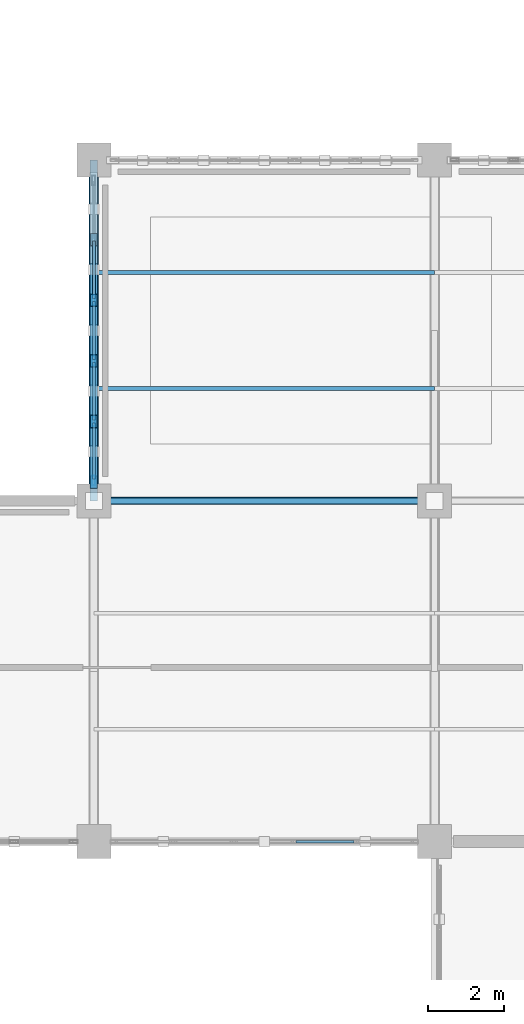
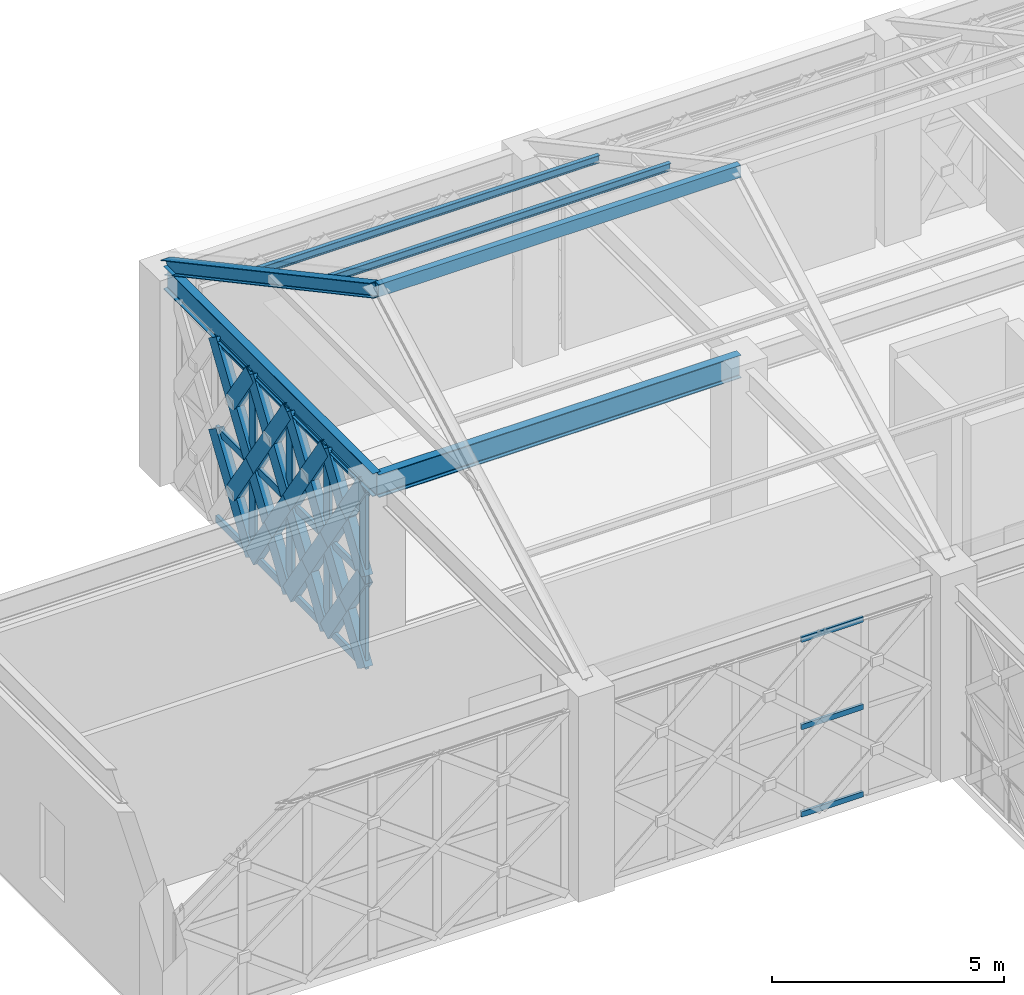
# One storey, part 57 of 166: 45 members, 2 beams, 2 elements without a shape of their own.
"""IFC4 building model written with IfcOpenShell, lengths in metres."""

from ifc_helpers import new_model, si_unit, direction, frame, origin, origin_2d, place, context, subcontext, project, spatial, hollow_rectangle, i_section, extrude, material, material_profile, profile_set, type_object, element, aggregate, save


model = new_model("IFC4")

# Units and contexts
model_context = context("Model", 3, precision=1e-05, world=origin(), true_north=direction((0.0, 1.0)))
body_context = subcontext(model_context, "Body", "Model", "MODEL_VIEW")
ifc_project = project(units=[si_unit("LENGTHUNIT", "METRE"), si_unit("AREAUNIT", "SQUARE_METRE"), si_unit("VOLUMEUNIT", "CUBIC_METRE"), si_unit("PLANEANGLEUNIT", "RADIAN"), si_unit("MASSUNIT", "GRAM", prefix="KILO")], contexts=[model_context])

# Site, building, storey
site_placement = place(None, origin())
site = spatial("IfcSite", under=ifc_project, at=site_placement, CompositionType="ELEMENT")
building_placement = place(site_placement, origin())
building = spatial("IfcBuilding", under=site, at=building_placement, Name="Haizhuo Lancet Aquarium", CompositionType="ELEMENT")
storey_placement = place(building_placement, frame((0.0, 0.0, 5.39990234375)))
storey = spatial("IfcBuildingStorey", under=building, at=storey_placement, Name="L01", CompositionType="ELEMENT", Elevation=5.39990234375)

# Beams
ifc_material_1 = material(Name="Steel S355", Category="steel")
ifc_material_profile_1 = material_profile(ifc_material_1, i_section(OverallWidth=0.199951171875, OverallDepth=0.60009765625, WebThickness=0.010986328125, FlangeThickness=0.01708984375, FilletRadius=0.02197265625, at=origin_2d()), Name="HN 600x200x11x17")
ifc_profile_set_1 = profile_set([ifc_material_profile_1], Name="Steel S355")
beam_type = type_object("IfcBeamType", Name="BM-ST-HN600", PredefinedType="BEAM", material=ifc_profile_set_1)
for number, where, z_axis, x_axis, name in (
    (1, (-72.0, 18.0, 5.10009765625), (0.0, 1.0, 0.0), (-1.0, 0.0, 0.0), "L01 V2 primary girder BM-L01-V2-006"),
    (2, (-72.0, 18.0, 5.10009765625), (1.0, 0.0, 0.0), (0.0, 1.0, 0.0), "L01 V2 primary girder BM-L01-V2-007"),
):
    element("IfcBeam", number, at=place(storey_placement, frame(where, z_axis=z_axis, x_axis=x_axis)), inside=storey, type_object=beam_type, Name=name, PredefinedType="BEAM", context=body_context, shape_type="SweptSolid", body=[
        extrude(i_section(OverallWidth=0.199951171875, OverallDepth=0.60009765625, WebThickness=0.010986328125, FlangeThickness=0.01708984375, FilletRadius=0.02197265625, at=origin_2d()), origin(), (0.0, 0.0, 1.0), 9.0),
    ])

# Curtain wall, members
ifc_material_2 = material(Name="Aluminium 6063-T6", Category="aluminium")
curtain_wall_type_1 = type_object("IfcCurtainWallType", Name="CWD-8010x4800", PredefinedType="NOTDEFINED", material=ifc_material_2)
curtain_wall_1_placement = place(storey_placement, origin())
curtain_wall_1 = element("IfcCurtainWall", 3, at=curtain_wall_1_placement, inside=storey, type_object=curtain_wall_type_1, Name="L01 curtain wall CW-V2-L01-021", PredefinedType="NOTDEFINED")
ifc_material_profile_2 = material_profile(ifc_material_2, hollow_rectangle(XDim=0.080078125, YDim=0.260009765625, WallThickness=0.0048828125, at=origin_2d()), Name="ALU-M 80x260x5")
ifc_profile_set_2 = profile_set([ifc_material_profile_2], Name="Aluminium 6063-T6")
member_type_1 = type_object("IfcMemberType", Name="CW-MUL-3", PredefinedType="MULLION", material=ifc_profile_set_2)
member_1_placement = place(storey_placement, frame((-72.0, 18.534912109375, 0.0), z_axis=(0.0, 0.0, 1.0), x_axis=(-1.0, 0.0, 0.0)))
member_1 = element("IfcMember", 4, at=member_1_placement, type_object=member_type_1, Name="CWD-80x48 mullion 1", PredefinedType="MULLION", context=body_context, shape_type="SweptSolid", body=[
    extrude(hollow_rectangle(XDim=0.080078125, YDim=0.260009765625, WallThickness=0.0048828125, at=origin_2d()), origin(), (0.0, 0.0, 1.0), 4.800048828125),
])
member_2_placement = place(storey_placement, frame((-72.0, 20.096923828125, 0.0), z_axis=(0.0, 0.0, 1.0), x_axis=(-1.0, 0.0, 0.0)))
member_2 = element("IfcMember", 5, at=member_2_placement, type_object=member_type_1, Name="CWD-80x48 mullion 2", PredefinedType="MULLION", context=body_context, shape_type="SweptSolid", body=[
    extrude(hollow_rectangle(XDim=0.080078125, YDim=0.260009765625, WallThickness=0.0048828125, at=origin_2d()), origin(), (0.0, 0.0, 1.0), 4.800048828125),
])
member_3_placement = place(storey_placement, frame((-72.0, 21.698974609375, 0.0), z_axis=(0.0, 0.0, 1.0), x_axis=(-1.0, 0.0, 0.0)))
member_3 = element("IfcMember", 6, at=member_3_placement, type_object=member_type_1, Name="CWD-80x48 mullion 3", PredefinedType="MULLION", context=body_context, shape_type="SweptSolid", body=[
    extrude(hollow_rectangle(XDim=0.080078125, YDim=0.260009765625, WallThickness=0.0048828125, at=origin_2d()), origin(), (0.0, 0.0, 1.0), 4.800048828125),
])
member_4_placement = place(storey_placement, frame((-72.0, 23.301025390625, 0.0), z_axis=(0.0, 0.0, 1.0), x_axis=(-1.0, 0.0, 0.0)))
member_4 = element("IfcMember", 7, at=member_4_placement, type_object=member_type_1, Name="CWD-80x48 mullion 4", PredefinedType="MULLION", context=body_context, shape_type="SweptSolid", body=[
    extrude(hollow_rectangle(XDim=0.080078125, YDim=0.260009765625, WallThickness=0.0048828125, at=origin_2d()), origin(), (0.0, 0.0, 1.0), 4.800048828125),
])

curtain_wall_type_2 = type_object("IfcCurtainWallType", Name="CWO-8010x4650", PredefinedType="NOTDEFINED", material=ifc_material_2)
curtain_wall_2_placement = place(storey_placement, origin())
curtain_wall_2 = element("IfcCurtainWall", 8, at=curtain_wall_2_placement, inside=storey, type_object=curtain_wall_type_2, Name="L01 curtain wall CW-V2-L01-028", PredefinedType="NOTDEFINED")
ifc_material_profile_3 = material_profile(ifc_material_2, hollow_rectangle(XDim=0.06494140625, YDim=0.139892578125, WallThickness=0.00390625, at=origin_2d()), Name="ALU-T 65x140x4")
ifc_profile_set_3 = profile_set([ifc_material_profile_3], Name="Aluminium 6063-T6")
member_type_2 = type_object("IfcMemberType", Name="CW-TRN-1", PredefinedType="NOTDEFINED", material=ifc_profile_set_3)
member_5_placement = place(storey_placement, frame((-65.12890625, 9.0, 0.033203125), z_axis=(-1.0, 0.0, 0.0), x_axis=(0.0, -1.0, 0.0)))
member_5 = element("IfcMember", 9, at=member_5_placement, type_object=member_type_2, Name="CWO-80x46 transom 2.1", ObjectType="TRANSOM", PredefinedType="USERDEFINED", context=body_context, shape_type="SweptSolid", body=[
    extrude(hollow_rectangle(XDim=0.06494140625, YDim=0.139892578125, WallThickness=0.00390625, at=origin_2d()), origin(), (0.0, 0.0, 1.0), 1.537109375),
])
member_6_placement = place(storey_placement, frame((-65.12890625, 9.0, 2.3251953125), z_axis=(-1.0, 0.0, 0.0), x_axis=(0.0, -1.0, 0.0)))
member_6 = element("IfcMember", 10, at=member_6_placement, type_object=member_type_2, Name="CWO-80x46 transom 2.2", ObjectType="TRANSOM", PredefinedType="USERDEFINED", context=body_context, shape_type="SweptSolid", body=[
    extrude(hollow_rectangle(XDim=0.06494140625, YDim=0.139892578125, WallThickness=0.00390625, at=origin_2d()), origin(), (0.0, 0.0, 1.0), 1.537109375),
])
member_7_placement = place(storey_placement, frame((-65.12890625, 9.0, 4.6181640625), z_axis=(-1.0, 0.0, 0.0), x_axis=(0.0, -1.0, 0.0)))
member_7 = element("IfcMember", 11, at=member_7_placement, type_object=member_type_2, Name="CWO-80x46 transom 2.3", ObjectType="TRANSOM", PredefinedType="USERDEFINED", context=body_context, shape_type="SweptSolid", body=[
    extrude(hollow_rectangle(XDim=0.06494140625, YDim=0.139892578125, WallThickness=0.00390625, at=origin_2d()), origin(), (0.0, 0.0, 1.0), 1.537109375),
])
aggregate(curtain_wall_2, [member_5, member_6, member_7])

# Member
ifc_material_profile_4 = material_profile(ifc_material_2, hollow_rectangle(XDim=0.080078125, YDim=0.18994140625, WallThickness=0.0048828125, at=origin_2d()), Name="ALU-T 80x190x5")
ifc_profile_set_4 = profile_set([ifc_material_profile_4], Name="Aluminium 6063-T6")
member_type_3 = type_object("IfcMemberType", Name="CW-TRN-3", PredefinedType="NOTDEFINED", material=ifc_profile_set_4)
member_8_placement = place(storey_placement, frame((-72.0, 18.574951171875, 0.0400390625), z_axis=(0.0, 1.0, 0.0), x_axis=(-1.0, 0.0, 0.0)))
member_8 = element("IfcMember", 12, at=member_8_placement, type_object=member_type_3, Name="CWD-80x48 transom 1.1", ObjectType="TRANSOM", PredefinedType="USERDEFINED", context=body_context, shape_type="SweptSolid", body=[
    extrude(hollow_rectangle(XDim=0.080078125, YDim=0.18994140625, WallThickness=0.0048828125, at=origin_2d()), origin(), (0.0, 0.0, 1.0), 1.48193359375),
])

member_9_placement = place(storey_placement, frame((-72.0, 18.574951171875, 2.400146484375), z_axis=(0.0, 1.0, 0.0), x_axis=(-1.0, 0.0, 0.0)))
member_9 = element("IfcMember", 13, at=member_9_placement, type_object=member_type_3, Name="CWD-80x48 transom 1.2", ObjectType="TRANSOM", PredefinedType="USERDEFINED", context=body_context, shape_type="SweptSolid", body=[
    extrude(hollow_rectangle(XDim=0.080078125, YDim=0.18994140625, WallThickness=0.0048828125, at=origin_2d()), origin(), (0.0, 0.0, 1.0), 1.48193359375),
])

member_10_placement = place(storey_placement, frame((-72.0, 18.574951171875, 4.760009765625), z_axis=(0.0, 1.0, 0.0), x_axis=(-1.0, 0.0, 0.0)))
member_10 = element("IfcMember", 14, at=member_10_placement, type_object=member_type_3, Name="CWD-80x48 transom 1.3", ObjectType="TRANSOM", PredefinedType="USERDEFINED", context=body_context, shape_type="SweptSolid", body=[
    extrude(hollow_rectangle(XDim=0.080078125, YDim=0.18994140625, WallThickness=0.0048828125, at=origin_2d()), origin(), (0.0, 0.0, 1.0), 1.48193359375),
])

member_11_placement = place(storey_placement, frame((-72.0, 20.136962890625, 0.0400390625), z_axis=(0.0, 1.0, 0.0), x_axis=(-1.0, 0.0, 0.0)))
member_11 = element("IfcMember", 15, at=member_11_placement, type_object=member_type_3, Name="CWD-80x48 transom 2.1", ObjectType="TRANSOM", PredefinedType="USERDEFINED", context=body_context, shape_type="SweptSolid", body=[
    extrude(hollow_rectangle(XDim=0.080078125, YDim=0.18994140625, WallThickness=0.0048828125, at=origin_2d()), origin(), (0.0, 0.0, 1.0), 1.52197265625),
])

member_12_placement = place(storey_placement, frame((-72.0, 20.136962890625, 2.400146484375), z_axis=(0.0, 1.0, 0.0), x_axis=(-1.0, 0.0, 0.0)))
member_12 = element("IfcMember", 16, at=member_12_placement, type_object=member_type_3, Name="CWD-80x48 transom 2.2", ObjectType="TRANSOM", PredefinedType="USERDEFINED", context=body_context, shape_type="SweptSolid", body=[
    extrude(hollow_rectangle(XDim=0.080078125, YDim=0.18994140625, WallThickness=0.0048828125, at=origin_2d()), origin(), (0.0, 0.0, 1.0), 1.52197265625),
])

member_13_placement = place(storey_placement, frame((-72.0, 20.136962890625, 4.760009765625), z_axis=(0.0, 1.0, 0.0), x_axis=(-1.0, 0.0, 0.0)))
member_13 = element("IfcMember", 17, at=member_13_placement, type_object=member_type_3, Name="CWD-80x48 transom 2.3", ObjectType="TRANSOM", PredefinedType="USERDEFINED", context=body_context, shape_type="SweptSolid", body=[
    extrude(hollow_rectangle(XDim=0.080078125, YDim=0.18994140625, WallThickness=0.0048828125, at=origin_2d()), origin(), (0.0, 0.0, 1.0), 1.52197265625),
])

member_14_placement = place(storey_placement, frame((-72.0, 21.739013671875, 0.0400390625), z_axis=(0.0, 1.0, 0.0), x_axis=(-1.0, 0.0, 0.0)))
member_14 = element("IfcMember", 18, at=member_14_placement, type_object=member_type_3, Name="CWD-80x48 transom 3.1", ObjectType="TRANSOM", PredefinedType="USERDEFINED", context=body_context, shape_type="SweptSolid", body=[
    extrude(hollow_rectangle(XDim=0.080078125, YDim=0.18994140625, WallThickness=0.0048828125, at=origin_2d()), origin(), (0.0, 0.0, 1.0), 1.52197265625),
])

member_15_placement = place(storey_placement, frame((-72.0, 21.739013671875, 2.400146484375), z_axis=(0.0, 1.0, 0.0), x_axis=(-1.0, 0.0, 0.0)))
member_15 = element("IfcMember", 19, at=member_15_placement, type_object=member_type_3, Name="CWD-80x48 transom 3.2", ObjectType="TRANSOM", PredefinedType="USERDEFINED", context=body_context, shape_type="SweptSolid", body=[
    extrude(hollow_rectangle(XDim=0.080078125, YDim=0.18994140625, WallThickness=0.0048828125, at=origin_2d()), origin(), (0.0, 0.0, 1.0), 1.52197265625),
])

member_16_placement = place(storey_placement, frame((-72.0, 21.739013671875, 4.760009765625), z_axis=(0.0, 1.0, 0.0), x_axis=(-1.0, 0.0, 0.0)))
member_16 = element("IfcMember", 20, at=member_16_placement, type_object=member_type_3, Name="CWD-80x48 transom 3.3", ObjectType="TRANSOM", PredefinedType="USERDEFINED", context=body_context, shape_type="SweptSolid", body=[
    extrude(hollow_rectangle(XDim=0.080078125, YDim=0.18994140625, WallThickness=0.0048828125, at=origin_2d()), origin(), (0.0, 0.0, 1.0), 1.52197265625),
])

member_17_placement = place(storey_placement, frame((-72.0, 23.341064453125, 0.0400390625), z_axis=(0.0, 1.0, 0.0), x_axis=(-1.0, 0.0, 0.0)))
member_17 = element("IfcMember", 21, at=member_17_placement, type_object=member_type_3, Name="CWD-80x48 transom 4.1", ObjectType="TRANSOM", PredefinedType="USERDEFINED", context=body_context, shape_type="SweptSolid", body=[
    extrude(hollow_rectangle(XDim=0.080078125, YDim=0.18994140625, WallThickness=0.0048828125, at=origin_2d()), origin(), (0.0, 0.0, 1.0), 1.52197265625),
])

member_18_placement = place(storey_placement, frame((-72.0, 23.341064453125, 2.400146484375), z_axis=(0.0, 1.0, 0.0), x_axis=(-1.0, 0.0, 0.0)))
member_18 = element("IfcMember", 22, at=member_18_placement, type_object=member_type_3, Name="CWD-80x48 transom 4.2", ObjectType="TRANSOM", PredefinedType="USERDEFINED", context=body_context, shape_type="SweptSolid", body=[
    extrude(hollow_rectangle(XDim=0.080078125, YDim=0.18994140625, WallThickness=0.0048828125, at=origin_2d()), origin(), (0.0, 0.0, 1.0), 1.52197265625),
])

member_19_placement = place(storey_placement, frame((-72.0, 23.341064453125, 4.760009765625), z_axis=(0.0, 1.0, 0.0), x_axis=(-1.0, 0.0, 0.0)))
member_19 = element("IfcMember", 23, at=member_19_placement, type_object=member_type_3, Name="CWD-80x48 transom 4.3", ObjectType="TRANSOM", PredefinedType="USERDEFINED", context=body_context, shape_type="SweptSolid", body=[
    extrude(hollow_rectangle(XDim=0.080078125, YDim=0.18994140625, WallThickness=0.0048828125, at=origin_2d()), origin(), (0.0, 0.0, 1.0), 1.52197265625),
])

aggregate(curtain_wall_1, [member_1, member_2, member_3, member_4, member_8, member_9, member_10, member_11, member_12, member_13, member_14, member_15, member_16, member_17, member_18, member_19])

# Members
ifc_material_profile_5 = material_profile(ifc_material_1, hollow_rectangle(XDim=0.159912109375, YDim=0.320068359375, WallThickness=0.010009765625, at=origin_2d()), Name="RHS 160x320x10")
ifc_profile_set_5 = profile_set([ifc_material_profile_5], Name="Steel S355")
member_type_4 = type_object("IfcMemberType", Name="MEM-CH-RHS160x320", PredefinedType="CHORD", material=ifc_profile_set_5)
member_20_placement = place(storey_placement, frame((-72.0, 18.0, 10.216064453125), z_axis=(1.0, 0.0, 0.0), x_axis=(0.0, 1.0, 0.0)))
element("IfcMember", 24, at=member_20_placement, inside=storey, type_object=member_type_4, Name="V2 roof ridge chord 1", PredefinedType="CHORD", context=body_context, shape_type="SweptSolid", body=[
    extrude(hollow_rectangle(XDim=0.159912109375, YDim=0.320068359375, WallThickness=0.010009765625, at=origin_2d()), origin(), (0.0, 0.0, 1.0), 9.0),
])
ifc_material_profile_6 = material_profile(ifc_material_1, hollow_rectangle(XDim=0.199951171875, YDim=0.39990234375, WallThickness=0.011962890625, at=origin_2d()), Name="RHS 200x400x12")
ifc_profile_set_6 = profile_set([ifc_material_profile_6], Name="Steel S355")
member_type_5 = type_object("IfcMemberType", Name="MEM-LB-RHS200x400", PredefinedType="BRACE", material=ifc_profile_set_6)
member_21_placement = place(storey_placement, frame((-72.0, 18.4951171875, 0.0), z_axis=(0.0, 0.555110150089, 0.831776845835), x_axis=(-1.0, 0.0, 0.0)))
element("IfcMember", 25, at=member_21_placement, inside=storey, type_object=member_type_5, Name="Gothic lancet continuous diagonal brace CW-V2-L01-021 1A", PredefinedType="BRACE", context=body_context, shape_type="SweptSolid", body=[
    extrude(hollow_rectangle(XDim=0.199951171875, YDim=0.39990234375, WallThickness=0.011962890625, at=origin_2d()), origin(), (0.0, 0.0, 1.0), 2.885498046875),
])
member_22_placement = place(storey_placement, frame((-72.0, 20.096923828125, 0.0), z_axis=(0.0, -0.555129617962, 0.831763853063), x_axis=(1.0, 0.0, 0.0)))
element("IfcMember", 26, at=member_22_placement, inside=storey, type_object=member_type_5, Name="Gothic lancet split diagonal brace CW-V2-L01-021 1B1", PredefinedType="BRACE", context=body_context, shape_type="SweptSolid", body=[
    extrude(hollow_rectangle(XDim=0.199951171875, YDim=0.39990234375, WallThickness=0.011962890625, at=origin_2d()), origin(), (0.0, 0.0, 1.0), 1.44287109375),
])
member_23_placement = place(storey_placement, frame((-72.0, 19.2958984375, 1.2001953125), z_axis=(0.0, -0.555090677343, 0.831789841202), x_axis=(1.0, 0.0, 0.0)))
element("IfcMember", 27, at=member_23_placement, inside=storey, type_object=member_type_5, Name="Gothic lancet split diagonal brace CW-V2-L01-021 1B2", PredefinedType="BRACE", context=body_context, shape_type="SweptSolid", body=[
    extrude(hollow_rectangle(XDim=0.199951171875, YDim=0.39990234375, WallThickness=0.011962890625, at=origin_2d()), origin(), (0.0, 0.0, 1.0), 1.442626953125),
])
member_24_placement = place(storey_placement, frame((-72.0, 18.4951171875, 2.400146484375), z_axis=(0.0, 0.555149217883, 0.831750771496), x_axis=(-1.0, 0.0, 0.0)))
element("IfcMember", 28, at=member_24_placement, inside=storey, type_object=member_type_5, Name="Gothic lancet continuous diagonal brace CW-V2-L01-021 2A", PredefinedType="BRACE", context=body_context, shape_type="SweptSolid", body=[
    extrude(hollow_rectangle(XDim=0.199951171875, YDim=0.39990234375, WallThickness=0.011962890625, at=origin_2d()), origin(), (0.0, 0.0, 1.0), 2.88525390625),
])
for number, where, z_axis, x_axis, name in (
    (29, (-72.0, 20.096923828125, 2.400146484375), (0.0, -0.555207750173, 0.831711701341), (1.0, 0.0, 0.0), "Gothic lancet split diagonal brace CW-V2-L01-021 2B1"),
    (30, (-72.0, 19.2958984375, 3.60009765625), (0.0, -0.555090677343, 0.831789841202), (1.0, 0.0, 0.0), "Gothic lancet split diagonal brace CW-V2-L01-021 2B2"),
):
    element("IfcMember", number, at=place(storey_placement, frame(where, z_axis=z_axis, x_axis=x_axis)), inside=storey, type_object=member_type_5, Name=name, PredefinedType="BRACE", context=body_context, shape_type="SweptSolid", body=[
        extrude(hollow_rectangle(XDim=0.199951171875, YDim=0.39990234375, WallThickness=0.011962890625, at=origin_2d()), origin(), (0.0, 0.0, 1.0), 1.442626953125),
    ])
member_25_placement = place(storey_placement, frame((-72.0, 20.096923828125, 0.0), z_axis=(0.0, 0.555168681931, 0.831737779954), x_axis=(-1.0, 0.0, 0.0)))
element("IfcMember", 31, at=member_25_placement, inside=storey, type_object=member_type_5, Name="Gothic lancet continuous diagonal brace CW-V2-L01-021 3A", PredefinedType="BRACE", context=body_context, shape_type="SweptSolid", body=[
    extrude(hollow_rectangle(XDim=0.199951171875, YDim=0.39990234375, WallThickness=0.011962890625, at=origin_2d()), origin(), (0.0, 0.0, 1.0), 2.8857421875),
])
member_26_placement = place(storey_placement, frame((-72.0, 21.698974609375, 0.0), z_axis=(0.0, -0.555129617962, 0.831763853063), x_axis=(1.0, 0.0, 0.0)))
element("IfcMember", 32, at=member_26_placement, inside=storey, type_object=member_type_5, Name="Gothic lancet split diagonal brace CW-V2-L01-021 3B1", PredefinedType="BRACE", context=body_context, shape_type="SweptSolid", body=[
    extrude(hollow_rectangle(XDim=0.199951171875, YDim=0.39990234375, WallThickness=0.011962890625, at=origin_2d()), origin(), (0.0, 0.0, 1.0), 1.44287109375),
])
member_27_placement = place(storey_placement, frame((-72.0, 20.89794921875, 1.2001953125), z_axis=(0.0, -0.555207750173, 0.831711701341), x_axis=(1.0, 0.0, 0.0)))
element("IfcMember", 33, at=member_27_placement, inside=storey, type_object=member_type_5, Name="Gothic lancet split diagonal brace CW-V2-L01-021 3B2", PredefinedType="BRACE", context=body_context, shape_type="SweptSolid", body=[
    extrude(hollow_rectangle(XDim=0.199951171875, YDim=0.39990234375, WallThickness=0.011962890625, at=origin_2d()), origin(), (0.0, 0.0, 1.0), 1.442626953125),
])
member_28_placement = place(storey_placement, frame((-72.0, 20.096923828125, 2.400146484375), z_axis=(0.0, 0.555207750173, 0.831711701341), x_axis=(-1.0, 0.0, 0.0)))
element("IfcMember", 34, at=member_28_placement, inside=storey, type_object=member_type_5, Name="Gothic lancet continuous diagonal brace CW-V2-L01-021 4A", PredefinedType="BRACE", context=body_context, shape_type="SweptSolid", body=[
    extrude(hollow_rectangle(XDim=0.199951171875, YDim=0.39990234375, WallThickness=0.011962890625, at=origin_2d()), origin(), (0.0, 0.0, 1.0), 2.885498046875),
])
for number, where, z_axis, x_axis, name in (
    (35, (-72.0, 21.698974609375, 2.400146484375), (0.0, -0.555207750173, 0.831711701341), (1.0, 0.0, 0.0), "Gothic lancet split diagonal brace CW-V2-L01-021 4B1"),
    (36, (-72.0, 20.89794921875, 3.60009765625), (0.0, -0.555207750173, 0.831711701341), (1.0, 0.0, 0.0), "Gothic lancet split diagonal brace CW-V2-L01-021 4B2"),
):
    element("IfcMember", number, at=place(storey_placement, frame(where, z_axis=z_axis, x_axis=x_axis)), inside=storey, type_object=member_type_5, Name=name, PredefinedType="BRACE", context=body_context, shape_type="SweptSolid", body=[
        extrude(hollow_rectangle(XDim=0.199951171875, YDim=0.39990234375, WallThickness=0.011962890625, at=origin_2d()), origin(), (0.0, 0.0, 1.0), 1.442626953125),
    ])
member_29_placement = place(storey_placement, frame((-72.0, 21.698974609375, 0.0), z_axis=(0.0, 0.555168681931, 0.831737779954), x_axis=(-1.0, 0.0, 0.0)))
element("IfcMember", 37, at=member_29_placement, inside=storey, type_object=member_type_5, Name="Gothic lancet continuous diagonal brace CW-V2-L01-021 5A", PredefinedType="BRACE", context=body_context, shape_type="SweptSolid", body=[
    extrude(hollow_rectangle(XDim=0.199951171875, YDim=0.39990234375, WallThickness=0.011962890625, at=origin_2d()), origin(), (0.0, 0.0, 1.0), 2.8857421875),
])
member_30_placement = place(storey_placement, frame((-72.0, 23.301025390625, 0.0), z_axis=(0.0, -0.555129617962, 0.831763853063), x_axis=(1.0, 0.0, 0.0)))
element("IfcMember", 38, at=member_30_placement, inside=storey, type_object=member_type_5, Name="Gothic lancet split diagonal brace CW-V2-L01-021 5B1", PredefinedType="BRACE", context=body_context, shape_type="SweptSolid", body=[
    extrude(hollow_rectangle(XDim=0.199951171875, YDim=0.39990234375, WallThickness=0.011962890625, at=origin_2d()), origin(), (0.0, 0.0, 1.0), 1.44287109375),
])
member_31_placement = place(storey_placement, frame((-72.0, 22.5, 1.2001953125), z_axis=(0.0, -0.555207750173, 0.831711701341), x_axis=(1.0, 0.0, 0.0)))
element("IfcMember", 39, at=member_31_placement, inside=storey, type_object=member_type_5, Name="Gothic lancet split diagonal brace CW-V2-L01-021 5B2", PredefinedType="BRACE", context=body_context, shape_type="SweptSolid", body=[
    extrude(hollow_rectangle(XDim=0.199951171875, YDim=0.39990234375, WallThickness=0.011962890625, at=origin_2d()), origin(), (0.0, 0.0, 1.0), 1.442626953125),
])
member_32_placement = place(storey_placement, frame((-72.0, 21.698974609375, 2.400146484375), z_axis=(0.0, 0.555207750173, 0.831711701341), x_axis=(-1.0, 0.0, 0.0)))
element("IfcMember", 40, at=member_32_placement, inside=storey, type_object=member_type_5, Name="Gothic lancet continuous diagonal brace CW-V2-L01-021 6A", PredefinedType="BRACE", context=body_context, shape_type="SweptSolid", body=[
    extrude(hollow_rectangle(XDim=0.199951171875, YDim=0.39990234375, WallThickness=0.011962890625, at=origin_2d()), origin(), (0.0, 0.0, 1.0), 2.885498046875),
])
for number, where, z_axis, x_axis, name in (
    (41, (-72.0, 23.301025390625, 2.400146484375), (0.0, -0.555207750173, 0.831711701341), (1.0, 0.0, 0.0), "Gothic lancet split diagonal brace CW-V2-L01-021 6B1"),
    (42, (-72.0, 22.5, 3.60009765625), (0.0, -0.555207750173, 0.831711701341), (1.0, 0.0, 0.0), "Gothic lancet split diagonal brace CW-V2-L01-021 6B2"),
):
    element("IfcMember", number, at=place(storey_placement, frame(where, z_axis=z_axis, x_axis=x_axis)), inside=storey, type_object=member_type_5, Name=name, PredefinedType="BRACE", context=body_context, shape_type="SweptSolid", body=[
        extrude(hollow_rectangle(XDim=0.199951171875, YDim=0.39990234375, WallThickness=0.011962890625, at=origin_2d()), origin(), (0.0, 0.0, 1.0), 1.442626953125),
    ])
member_33_placement = place(storey_placement, frame((-72.0, 23.301025390625, 0.0), z_axis=(0.0, 0.555168681931, 0.831737779954), x_axis=(-1.0, 0.0, 0.0)))
element("IfcMember", 43, at=member_33_placement, inside=storey, type_object=member_type_5, Name="Gothic lancet continuous diagonal brace CW-V2-L01-021 7A", PredefinedType="BRACE", context=body_context, shape_type="SweptSolid", body=[
    extrude(hollow_rectangle(XDim=0.199951171875, YDim=0.39990234375, WallThickness=0.011962890625, at=origin_2d()), origin(), (0.0, 0.0, 1.0), 2.8857421875),
])
member_34_placement = place(storey_placement, frame((-72.0, 24.10205078125, 1.2001953125), z_axis=(0.0, -0.555207750173, 0.831711701341), x_axis=(1.0, 0.0, 0.0)))
element("IfcMember", 44, at=member_34_placement, inside=storey, type_object=member_type_5, Name="Gothic lancet split diagonal brace CW-V2-L01-021 7B2", PredefinedType="BRACE", context=body_context, shape_type="SweptSolid", body=[
    extrude(hollow_rectangle(XDim=0.199951171875, YDim=0.39990234375, WallThickness=0.011962890625, at=origin_2d()), origin(), (0.0, 0.0, 1.0), 1.442626953125),
])
member_35_placement = place(storey_placement, frame((-72.0, 23.301025390625, 2.400146484375), z_axis=(0.0, 0.555207750173, 0.831711701341), x_axis=(-1.0, 0.0, 0.0)))
element("IfcMember", 45, at=member_35_placement, inside=storey, type_object=member_type_5, Name="Gothic lancet continuous diagonal brace CW-V2-L01-021 8A", PredefinedType="BRACE", context=body_context, shape_type="SweptSolid", body=[
    extrude(hollow_rectangle(XDim=0.199951171875, YDim=0.39990234375, WallThickness=0.011962890625, at=origin_2d()), origin(), (0.0, 0.0, 1.0), 2.885498046875),
])
member_36_placement = place(storey_placement, frame((-72.0, 24.10205078125, 3.60009765625), z_axis=(0.0, -0.555207750173, 0.831711701341), x_axis=(1.0, 0.0, 0.0)))
element("IfcMember", 46, at=member_36_placement, inside=storey, type_object=member_type_5, Name="Gothic lancet split diagonal brace CW-V2-L01-021 8B2", PredefinedType="BRACE", context=body_context, shape_type="SweptSolid", body=[
    extrude(hollow_rectangle(XDim=0.199951171875, YDim=0.39990234375, WallThickness=0.011962890625, at=origin_2d()), origin(), (0.0, 0.0, 1.0), 1.442626953125),
])
ifc_material_profile_7 = material_profile(ifc_material_1, i_section(OverallWidth=0.10009765625, OverallDepth=0.199951171875, WebThickness=0.005615234375, FlangeThickness=0.008056640625, FilletRadius=0.008056640625, at=origin_2d()), Name="HN 200x100x5.5x8")
ifc_profile_set_7 = profile_set([ifc_material_profile_7], Name="Steel S355")
member_type_6 = type_object("IfcMemberType", Name="MEM-PR-HN200", PredefinedType="PURLIN", material=ifc_profile_set_7)
for number, where, z_axis, x_axis, name in (
    (47, (-72.0, 24.030029296875, 6.859130859375), (1.0, 0.0, 0.0), (0.0, 1.0, 0.0), "V2 north roof purlin 1"),
    (48, (-72.0, 20.969970703125, 8.507080078125), (1.0, 0.0, 0.0), (0.0, 1.0, 0.0), "V2 north roof purlin 1"),
):
    element("IfcMember", number, at=place(storey_placement, frame(where, z_axis=z_axis, x_axis=x_axis)), inside=storey, type_object=member_type_6, Name=name, PredefinedType="PURLIN", context=body_context, shape_type="SweptSolid", body=[
        extrude(i_section(OverallWidth=0.10009765625, OverallDepth=0.199951171875, WebThickness=0.005615234375, FlangeThickness=0.008056640625, FilletRadius=0.008056640625, at=origin_2d()), origin(), (0.0, 0.0, 1.0), 9.0),
    ])
ifc_material_profile_8 = material_profile(ifc_material_1, i_section(OverallWidth=0.25, OverallDepth=0.340087890625, WebThickness=0.009033203125, FlangeThickness=0.013916015625, FilletRadius=0.01806640625, at=origin_2d()), Name="HM 340x250x9x14")
ifc_profile_set_8 = profile_set([ifc_material_profile_8], Name="Steel S355")
member_type_7 = type_object("IfcMemberType", Name="MEM-RF-HM340", PredefinedType="RAFTER", material=ifc_profile_set_8)
member_37_placement = place(storey_placement, frame((-72.0, 27.0, 5.3701171875), z_axis=(0.0, -0.880479536064, 0.474084155581), x_axis=(1.0, 0.0, 0.0)))
element("IfcMember", 49, at=member_37_placement, inside=storey, type_object=member_type_7, Name="V2 Gothic pitched roof north rafter 1", PredefinedType="RAFTER", context=body_context, shape_type="SweptSolid", body=[
    extrude(i_section(OverallWidth=0.25, OverallDepth=0.340087890625, WebThickness=0.009033203125, FlangeThickness=0.013916015625, FilletRadius=0.01806640625, at=origin_2d()), origin(), (0.0, 0.0, 1.0), 10.2216796875),
])

save(model, "model.ifc")
